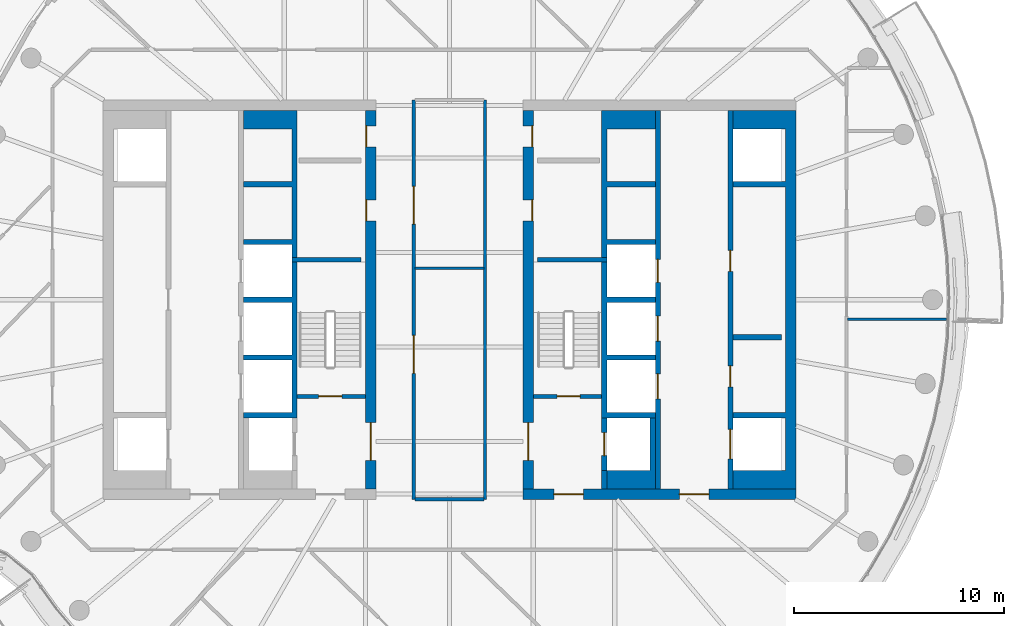
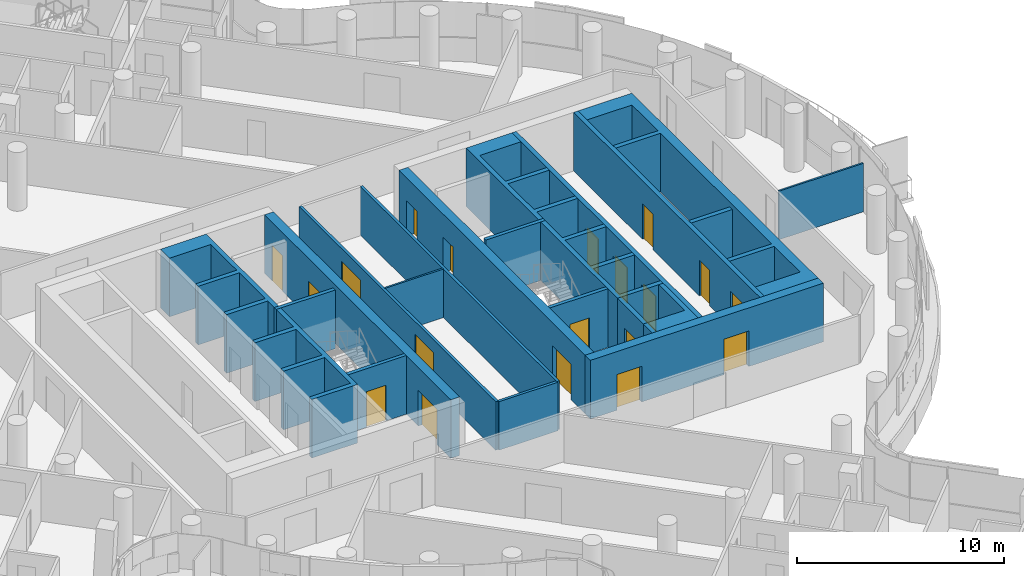
# One storey, part 21 of 31: 21 walls, 19 doors, 19 openings.
"""IFC4 building model written with IfcOpenShell, lengths in metres."""

from ifc_helpers import new_model, si_unit, direction, frame, frame_2d, origin, place, context, subcontext, project, spatial, polyline, rectangle, outline, extrude, material, layer, layer_set, type_object, element, fill, save


model = new_model("IFC4")

# Units and contexts
model_context = context("Model", 3, precision=1e-05, world=origin(), true_north=direction((0.0, 1.0)))
body_context = subcontext(model_context, "Body", "Model", "MODEL_VIEW")
ifc_project = project(units=[si_unit("LENGTHUNIT", "METRE"), si_unit("AREAUNIT", "SQUARE_METRE"), si_unit("VOLUMEUNIT", "CUBIC_METRE"), si_unit("PLANEANGLEUNIT", "RADIAN"), si_unit("MASSUNIT", "GRAM", prefix="KILO")], contexts=[model_context])

# Site, building, storey
site_placement = place(None, origin())
site = spatial("IfcSite", under=ifc_project, at=site_placement, CompositionType="ELEMENT")
building_placement = place(site_placement, origin())
building = spatial("IfcBuilding", under=site, at=building_placement, Name="Tamarind Cross Interchange Tower", CompositionType="ELEMENT")
storey_placement = place(building_placement, frame((0.0, 0.0, 200.5)))
storey = spatial("IfcBuildingStorey", under=building, at=storey_placement, Name="L50", CompositionType="ELEMENT", Elevation=200.5)

# Wall, openings, doors
ifc_material_1 = material(Name="Concrete C55", Category="concrete")
ifc_layer_1 = layer(ifc_material_1, 0.5)
ifc_layer_set_1 = layer_set([ifc_layer_1], Name="Concrete C55")
wall_type_1 = type_object("IfcWallType", Name="Core wall 500 mm Concrete C55", PredefinedType="SHEAR", material=ifc_layer_set_1)
wall_1_placement = place(storey_placement, frame((-3.75, -9.0, 0.0), z_axis=(0.0, 0.0, 1.0), x_axis=(0.0, 1.0, 0.0)))
wall_1 = element("IfcWall", 1, at=wall_1_placement, inside=storey, type_object=wall_type_1, Name="Core wall CWL-L50-W-IN", PredefinedType="SHEAR", context=body_context, shape_type="SweptSolid", body=[
    extrude(rectangle(XDim=18.0, YDim=0.5, at=frame_2d((9.0, 0.0))), origin(), (0.0, 0.0, 1.0), 3.4599609375),
])
opening_1_placement = place(wall_1_placement, frame((1.35009765625, 0.0, 0.0)))
opening_1 = element("IfcOpeningElement", 2, at=opening_1_placement, cuts=wall_1, Name="Opening DCW4", PredefinedType="OPENING", context=body_context, shape_type="SweptSolid", body=[
    extrude(rectangle(XDim=1.800048828125, YDim=2.10009765625, at=frame_2d((0.89990234375, 1.050048828125))), frame((0.0, 0.260009765625, 0.0), z_axis=(0.0, -1.0, 0.0), x_axis=(1.0, 0.0, 0.0)), (0.0, 0.0, 1.0), 0.52001953125),
])
opening_2_placement = place(wall_1_placement, frame((12.74951171875, 0.0, 0.0)))
opening_2 = element("IfcOpeningElement", 3, at=opening_2_placement, cuts=wall_1, Name="Opening DCW5", PredefinedType="OPENING", context=body_context, shape_type="SweptSolid", body=[
    extrude(rectangle(XDim=1.0, YDim=2.10009765625, at=frame_2d((0.5, 1.050048828125))), frame((0.0, 0.260009765625, 0.0), z_axis=(0.0, -1.0, 0.0), x_axis=(1.0, 0.0, 0.0)), (0.0, 0.0, 1.0), 0.52001953125),
])
opening_3_placement = place(wall_1_placement, frame((16.2744140625, 0.0, 0.0)))
opening_3 = element("IfcOpeningElement", 4, at=opening_3_placement, cuts=wall_1, Name="Opening DCW5", PredefinedType="OPENING", context=body_context, shape_type="SweptSolid", body=[
    extrude(rectangle(XDim=1.0, YDim=2.10009765625, at=frame_2d((0.5, 1.050048828125))), frame((0.0, 0.260009765625, 0.0), z_axis=(0.0, -1.0, 0.0), x_axis=(1.0, 0.0, 0.0)), (0.0, 0.0, 1.0), 0.52001953125),
])
ifc_material_2 = material(Name="Steel, fire-resisting", Category="steel")
door_type_1 = type_object("IfcDoorType", Name="Core fire door 1000 x 2100 FD90", OperationType="SINGLE_SWING_LEFT", PredefinedType="DOOR", material=ifc_material_2)
door_1_placement = place(opening_2_placement, origin())
door_1 = element("IfcDoor", 5, at=door_1_placement, inside=storey, type_object=door_type_1, Name="L50 riser room door", OperationType="SINGLE_SWING_LEFT", OverallHeight=2.10009765625, OverallWidth=1.0, PredefinedType="DOOR", context=body_context, shape_type="SweptSolid", body=[
    extrude(rectangle(XDim=1.0, YDim=2.10009765625, at=frame_2d((0.5, 1.050048828125))), frame((0.0, 0.22509765625, 0.0), z_axis=(0.0, -1.0, 0.0), x_axis=(1.0, 0.0, 0.0)), (0.0, 0.0, 1.0), 0.050048828125),
])
fill(opening_2, door_1)
door_2_placement = place(opening_3_placement, origin())
door_2 = element("IfcDoor", 6, at=door_2_placement, inside=storey, type_object=door_type_1, Name="L50 linen press door", OperationType="SINGLE_SWING_LEFT", OverallHeight=2.10009765625, OverallWidth=1.0, PredefinedType="DOOR", context=body_context, shape_type="SweptSolid", body=[
    extrude(rectangle(XDim=1.0, YDim=2.10009765625, at=frame_2d((0.5, 1.050048828125))), frame((0.0, 0.22509765625, 0.0), z_axis=(0.0, -1.0, 0.0), x_axis=(1.0, 0.0, 0.0)), (0.0, 0.0, 1.0), 0.050048828125),
])
fill(opening_3, door_2)
door_type_2 = type_object("IfcDoorType", Name="Core fire door 1800 x 2100 FD90", OperationType="SINGLE_SWING_LEFT", PredefinedType="DOOR", material=ifc_material_2)
door_3_placement = place(opening_1_placement, origin())
door_3 = element("IfcDoor", 7, at=door_3_placement, inside=storey, type_object=door_type_2, Name="L50 firefighting lobby door", OperationType="SINGLE_SWING_LEFT", OverallHeight=2.10009765625, OverallWidth=1.800048828125, PredefinedType="DOOR", context=body_context, shape_type="SweptSolid", body=[
    extrude(rectangle(XDim=1.800048828125, YDim=2.10009765625, at=frame_2d((0.89990234375, 1.050048828125))), frame((0.0, 0.02490234375, 0.0), z_axis=(0.0, -1.0, 0.0), x_axis=(1.0, 0.0, 0.0)), (0.0, 0.0, 1.0), 0.050048828125),
])
fill(opening_1, door_3)

wall_2_placement = place(storey_placement, frame((16.5, -9.25, 0.0), z_axis=(0.0, 0.0, 1.0), x_axis=(-1.0, 0.0, 0.0)))
wall_2 = element("IfcWall", 8, at=wall_2_placement, inside=storey, type_object=wall_type_1, Name="Core wall CWL-L50-E-S", PredefinedType="SHEAR", context=body_context, shape_type="SweptSolid", body=[
    extrude(rectangle(XDim=13.0, YDim=0.5, at=frame_2d((6.5, 0.0))), origin(), (0.0, 0.0, 1.0), 3.4599609375),
])
opening_4_placement = place(wall_2_placement, frame((4.14990234375, 0.0, 0.0)))
opening_4 = element("IfcOpeningElement", 9, at=opening_4_placement, cuts=wall_2, Name="Opening DCE1", PredefinedType="OPENING", context=body_context, shape_type="SweptSolid", body=[
    extrude(rectangle(XDim=1.39990234375, YDim=2.10009765625, at=frame_2d((0.699951171875, 1.050048828125))), frame((0.0, 0.260009765625, 0.0), z_axis=(0.0, -1.0, 0.0), x_axis=(1.0, 0.0, 0.0)), (0.0, 0.0, 1.0), 0.52001953125),
])
opening_5_placement = place(wall_2_placement, frame((10.125, 0.0, 0.0)))
opening_5 = element("IfcOpeningElement", 10, at=opening_5_placement, cuts=wall_2, Name="Opening DCEF", PredefinedType="OPENING", context=body_context, shape_type="SweptSolid", body=[
    extrude(rectangle(XDim=1.39990234375, YDim=2.10009765625, at=frame_2d((0.699951171875, 1.050048828125))), frame((0.0, 0.260009765625, 0.0), z_axis=(0.0, -1.0, 0.0), x_axis=(1.0, 0.0, 0.0)), (0.0, 0.0, 1.0), 0.52001953125),
])
door_type_3 = type_object("IfcDoorType", Name="Core fire door 1400 x 2100 FD90", OperationType="SINGLE_SWING_LEFT", PredefinedType="DOOR", material=ifc_material_2)
door_4_placement = place(opening_4_placement, origin())
door_4 = element("IfcDoor", 11, at=door_4_placement, inside=storey, type_object=door_type_3, Name="L50 lift lobby door", OperationType="SINGLE_SWING_LEFT", OverallHeight=2.10009765625, OverallWidth=1.39990234375, PredefinedType="DOOR", context=body_context, shape_type="SweptSolid", body=[
    extrude(rectangle(XDim=1.39990234375, YDim=2.10009765625, at=frame_2d((0.699951171875, 1.050048828125))), frame((0.0, 0.02490234375, 0.0), z_axis=(0.0, -1.0, 0.0), x_axis=(1.0, 0.0, 0.0)), (0.0, 0.0, 1.0), 0.050048828125),
])
fill(opening_4, door_4)
door_5_placement = place(opening_5_placement, origin())
door_5 = element("IfcDoor", 12, at=door_5_placement, inside=storey, type_object=door_type_3, Name="L50 firefighting lobby end door", OperationType="SINGLE_SWING_LEFT", OverallHeight=2.10009765625, OverallWidth=1.39990234375, PredefinedType="DOOR", context=body_context, shape_type="SweptSolid", body=[
    extrude(rectangle(XDim=1.39990234375, YDim=2.10009765625, at=frame_2d((0.699951171875, 1.050048828125))), frame((0.0, 0.02490234375, 0.0), z_axis=(0.0, -1.0, 0.0), x_axis=(1.0, 0.0, 0.0)), (0.0, 0.0, 1.0), 0.050048828125),
])
fill(opening_5, door_5)

# Wall
wall_3_placement = place(storey_placement, origin())
element("IfcWall", 13, at=wall_3_placement, inside=storey, type_object=wall_type_1, Name="Core wall CWL-L50-E-A", PredefinedType="SHEAR", context=body_context, shape_type="SweptSolid", body=[
    extrude(outline(polyline([(13.5, -8.125), (13.5, -9.0), (16.0, -9.0), (16.5, -9.0), (16.5, 9.0), (16.0, 9.0), (13.5, 9.0), (13.5, 8.125), (16.0, 8.125), (16.0, 5.625), (13.5, 5.625), (13.5, 5.375), (16.0, 5.375), (16.0, -5.375), (13.5, -5.375), (13.5, -5.625), (16.0, -5.625), (16.0, -8.125), (13.5, -8.125)])), origin(), (0.0, 0.0, 1.0), 3.4599609375),
])

# Wall, openings, doors
wall_4_placement = place(storey_placement, frame((3.75, -9.0, 0.0), z_axis=(0.0, 0.0, 1.0), x_axis=(0.0, 1.0, 0.0)))
wall_4 = element("IfcWall", 14, at=wall_4_placement, inside=storey, type_object=wall_type_1, Name="Core wall CWL-L50-E-IN", PredefinedType="SHEAR", context=body_context, shape_type="SweptSolid", body=[
    extrude(rectangle(XDim=18.0, YDim=0.5, at=frame_2d((9.0, 0.0))), origin(), (0.0, 0.0, 1.0), 3.4599609375),
])
opening_6_placement = place(wall_4_placement, frame((1.35009765625, 0.0, 0.0)))
opening_6 = element("IfcOpeningElement", 15, at=opening_6_placement, cuts=wall_4, Name="Opening DCE4", PredefinedType="OPENING", context=body_context, shape_type="SweptSolid", body=[
    extrude(rectangle(XDim=1.800048828125, YDim=2.10009765625, at=frame_2d((0.89990234375, 1.050048828125))), frame((0.0, 0.260009765625, 0.0), z_axis=(0.0, -1.0, 0.0), x_axis=(1.0, 0.0, 0.0)), (0.0, 0.0, 1.0), 0.52001953125),
])
opening_7_placement = place(wall_4_placement, frame((12.74951171875, 0.0, 0.0)))
opening_7 = element("IfcOpeningElement", 16, at=opening_7_placement, cuts=wall_4, Name="Opening DCE5", PredefinedType="OPENING", context=body_context, shape_type="SweptSolid", body=[
    extrude(rectangle(XDim=1.0, YDim=2.10009765625, at=frame_2d((0.5, 1.050048828125))), frame((0.0, 0.260009765625, 0.0), z_axis=(0.0, -1.0, 0.0), x_axis=(1.0, 0.0, 0.0)), (0.0, 0.0, 1.0), 0.52001953125),
])
opening_8_placement = place(wall_4_placement, frame((16.2744140625, 0.0, 0.0)))
opening_8 = element("IfcOpeningElement", 17, at=opening_8_placement, cuts=wall_4, Name="Opening DCE5", PredefinedType="OPENING", context=body_context, shape_type="SweptSolid", body=[
    extrude(rectangle(XDim=1.0, YDim=2.10009765625, at=frame_2d((0.5, 1.050048828125))), frame((0.0, 0.260009765625, 0.0), z_axis=(0.0, -1.0, 0.0), x_axis=(1.0, 0.0, 0.0)), (0.0, 0.0, 1.0), 0.52001953125),
])
door_6_placement = place(opening_7_placement, origin())
door_6 = element("IfcDoor", 18, at=door_6_placement, inside=storey, type_object=door_type_1, Name="L50 riser room door", OperationType="SINGLE_SWING_LEFT", OverallHeight=2.10009765625, OverallWidth=1.0, PredefinedType="DOOR", context=body_context, shape_type="SweptSolid", body=[
    extrude(rectangle(XDim=1.0, YDim=2.10009765625, at=frame_2d((0.5, 1.050048828125))), frame((0.0, -0.1748046875, 0.0), z_axis=(0.0, -1.0, 0.0), x_axis=(1.0, 0.0, 0.0)), (0.0, 0.0, 1.0), 0.050048828125),
])
fill(opening_7, door_6)
door_7_placement = place(opening_8_placement, origin())
door_7 = element("IfcDoor", 19, at=door_7_placement, inside=storey, type_object=door_type_1, Name="L50 linen press door", OperationType="SINGLE_SWING_LEFT", OverallHeight=2.10009765625, OverallWidth=1.0, PredefinedType="DOOR", context=body_context, shape_type="SweptSolid", body=[
    extrude(rectangle(XDim=1.0, YDim=2.10009765625, at=frame_2d((0.5, 1.050048828125))), frame((0.0, -0.1748046875, 0.0), z_axis=(0.0, -1.0, 0.0), x_axis=(1.0, 0.0, 0.0)), (0.0, 0.0, 1.0), 0.050048828125),
])
fill(opening_8, door_7)
door_8_placement = place(opening_6_placement, origin())
door_8 = element("IfcDoor", 20, at=door_8_placement, inside=storey, type_object=door_type_2, Name="L50 firefighting lobby door", OperationType="SINGLE_SWING_LEFT", OverallHeight=2.10009765625, OverallWidth=1.800048828125, PredefinedType="DOOR", context=body_context, shape_type="SweptSolid", body=[
    extrude(rectangle(XDim=1.800048828125, YDim=2.10009765625, at=frame_2d((0.89990234375, 1.050048828125))), frame((0.0, 0.02490234375, 0.0), z_axis=(0.0, -1.0, 0.0), x_axis=(1.0, 0.0, 0.0)), (0.0, 0.0, 1.0), 0.050048828125),
])
fill(opening_6, door_8)

# Walls
ifc_layer_2 = layer(ifc_material_1, 0.199951171875)
ifc_layer_set_2 = layer_set([ifc_layer_2], Name="Concrete C55")
wall_type_2 = type_object("IfcWallType", Name="Core web wall 200 mm Concrete C55", PredefinedType="SHEAR", material=ifc_layer_set_2)
for number, where, z_axis, x_axis, name in (
    (21, (-7.5, 1.89990234375, 0.0), (0.0, 0.0, 1.0), (1.0, 0.0, 0.0), "Core wall CWL-L50-W-BD"),
    (22, (7.5, 1.89990234375, 0.0), (0.0, 0.0, 1.0), (-1.0, 0.0, 0.0), "Core wall CWL-L50-E-BD"),
):
    element("IfcWall", number, at=place(storey_placement, frame(where, z_axis=z_axis, x_axis=x_axis)), inside=storey, type_object=wall_type_2, Name=name, PredefinedType="SHEAR", context=body_context, shape_type="SweptSolid", body=[
        extrude(rectangle(XDim=3.300048828125, YDim=0.199951171875, at=frame_2d((1.64990234375, 0.0))), origin(), (0.0, 0.0, 1.0), 3.4599609375),
    ])
ifc_layer_3 = layer(ifc_material_1, 0.25)
ifc_layer_set_3 = layer_set([ifc_layer_3], Name="Concrete C55")
wall_type_3 = type_object("IfcWallType", Name="Core web wall 250 mm Concrete C55", PredefinedType="SHEAR", material=ifc_layer_set_3)
wall_5_placement = place(storey_placement, origin())
element("IfcWall", 23, at=wall_5_placement, inside=storey, type_object=wall_type_3, Name="Core wall CWL-L50-W-BN", PredefinedType="SHEAR", context=body_context, shape_type="SweptSolid", body=[
    extrude(outline(polyline([(-9.800048828125, -5.375), (-9.800048828125, -5.625), (-7.5, -5.625), (-7.25, -5.625), (-7.25, 9.0), (-7.5, 9.0), (-9.800048828125, 9.0), (-9.800048828125, 8.125), (-7.5, 8.125), (-7.5, 5.625), (-9.800048828125, 5.625), (-9.800048828125, 5.375), (-7.5, 5.375), (-7.5, 2.875), (-9.800048828125, 2.875), (-9.800048828125, 2.625), (-7.5, 2.625), (-7.5, 0.125), (-9.800048828125, 0.125), (-9.800048828125, -0.125), (-7.5, -0.125), (-7.5, -2.625), (-9.800048828125, -2.625), (-9.800048828125, -2.875), (-7.5, -2.875), (-7.5, -5.375), (-9.800048828125, -5.375)])), origin(), (0.0, 0.0, 1.0), 3.4599609375),
])
wall_6_placement = place(storey_placement, origin())
element("IfcWall", 24, at=wall_6_placement, inside=storey, type_object=wall_type_3, Name="Core wall CWL-L50-E-BN", PredefinedType="SHEAR", context=body_context, shape_type="SweptSolid", body=[
    extrude(outline(polyline([(9.800048828125, -5.375), (7.5, -5.375), (7.5, -2.875), (9.800048828125, -2.875), (9.800048828125, -2.625), (7.5, -2.625), (7.5, -0.125), (9.800048828125, -0.125), (9.800048828125, 0.125), (7.5, 0.125), (7.5, 2.625), (9.800048828125, 2.625), (9.800048828125, 2.875), (7.5, 2.875), (7.5, 5.375), (9.800048828125, 5.375), (9.800048828125, 5.625), (7.5, 5.625), (7.5, 8.125), (9.800048828125, 8.125), (9.800048828125, 9.0), (7.5, 9.0), (7.25, 9.0), (7.25, -5.625), (7.5, -5.625), (9.800048828125, -5.625), (9.800048828125, -5.375)])), origin(), (0.0, 0.0, 1.0), 3.4599609375),
])
wall_7_placement = place(storey_placement, origin())
element("IfcWall", 25, at=wall_7_placement, inside=storey, type_object=wall_type_3, Name="Core wall CWL-L50-E-BS", PredefinedType="SHEAR", context=body_context, shape_type="SweptSolid", body=[
    extrude(outline(polyline([(7.5, -8.125), (7.5, -9.0), (9.800048828125, -9.0), (9.800048828125, -8.125), (9.800048828125, -5.625), (9.550048828125, -5.625), (9.550048828125, -8.125), (7.5, -8.125)])), origin(), (0.0, 0.0, 1.0), 3.4599609375),
])
wall_8_placement = place(storey_placement, frame((7.375, -9.0, 0.0), z_axis=(0.0, 0.0, 1.0), x_axis=(0.0, 1.0, 0.0)))
element("IfcWall", 26, at=wall_8_placement, inside=storey, type_object=wall_type_3, Name="Core wall CWL-L50-E-BW", PredefinedType="SHEAR", context=body_context, shape_type="SweptSolid", body=[
    extrude(rectangle(XDim=0.875, YDim=0.25, at=frame_2d((0.4375, 0.0))), origin(), (0.0, 0.0, 1.0), 3.4599609375),
])

# Wall, openings, doors
wall_9_placement = place(storey_placement, frame((13.375, -9.0, 0.0), z_axis=(0.0, 0.0, 1.0), x_axis=(0.0, 1.0, 0.0)))
wall_9 = element("IfcWall", 27, at=wall_9_placement, inside=storey, type_object=wall_type_3, Name="Core wall CWL-L50-E-LA", PredefinedType="SHEAR", context=body_context, shape_type="SweptSolid", body=[
    extrude(rectangle(XDim=18.0, YDim=0.25, at=frame_2d((9.0, 0.0))), origin(), (0.0, 0.0, 1.0), 3.4599609375),
])
opening_9_placement = place(wall_9_placement, frame((1.425048828125, 0.0, 0.0)))
opening_9 = element("IfcOpeningElement", 28, at=opening_9_placement, cuts=wall_9, Name="Opening LD13L50", PredefinedType="OPENING", context=body_context, shape_type="SweptSolid", body=[
    extrude(rectangle(XDim=1.39990234375, YDim=2.10009765625, at=frame_2d((0.699951171875, 1.050048828125))), frame((0.0, 0.135009765625, 0.0), z_axis=(0.0, -1.0, 0.0), x_axis=(1.0, 0.0, 0.0)), (0.0, 0.0, 1.0), 0.27001953125),
])
opening_10_placement = place(wall_9_placement, frame((4.85400390625, 0.0, 0.0)))
opening_10 = element("IfcOpeningElement", 29, at=opening_10_placement, cuts=wall_9, Name="Opening DCE9", PredefinedType="OPENING", context=body_context, shape_type="SweptSolid", body=[
    extrude(rectangle(XDim=1.0, YDim=2.10009765625, at=frame_2d((0.5, 1.050048828125))), frame((0.0, 0.135009765625, 0.0), z_axis=(0.0, -1.0, 0.0), x_axis=(1.0, 0.0, 0.0)), (0.0, 0.0, 1.0), 0.27001953125),
])
opening_11_placement = place(wall_9_placement, frame((10.35400390625, 0.0, 0.0)))
opening_11 = element("IfcOpeningElement", 30, at=opening_11_placement, cuts=wall_9, Name="Opening DCE10", PredefinedType="OPENING", context=body_context, shape_type="SweptSolid", body=[
    extrude(rectangle(XDim=1.0, YDim=2.10009765625, at=frame_2d((0.5, 1.050048828125))), frame((0.0, 0.135009765625, 0.0), z_axis=(0.0, -1.0, 0.0), x_axis=(1.0, 0.0, 0.0)), (0.0, 0.0, 1.0), 0.27001953125),
])
door_9_placement = place(opening_10_placement, origin())
door_9 = element("IfcDoor", 31, at=door_9_placement, inside=storey, type_object=door_type_1, Name="L50 Hotel pantry door", OperationType="SINGLE_SWING_LEFT", OverallHeight=2.10009765625, OverallWidth=1.0, PredefinedType="DOOR", context=body_context, shape_type="SweptSolid", body=[
    extrude(rectangle(XDim=1.0, YDim=2.10009765625, at=frame_2d((0.5, 1.050048828125))), frame((0.0, 0.02490234375, 0.0), z_axis=(0.0, -1.0, 0.0), x_axis=(1.0, 0.0, 0.0)), (0.0, 0.0, 1.0), 0.050048828125),
])
fill(opening_10, door_9)
door_10_placement = place(opening_11_placement, origin())
door_10 = element("IfcDoor", 32, at=door_10_placement, inside=storey, type_object=door_type_1, Name="L50 Staff changing room door", OperationType="SINGLE_SWING_LEFT", OverallHeight=2.10009765625, OverallWidth=1.0, PredefinedType="DOOR", context=body_context, shape_type="SweptSolid", body=[
    extrude(rectangle(XDim=1.0, YDim=2.10009765625, at=frame_2d((0.5, 1.050048828125))), frame((0.0, 0.02490234375, 0.0), z_axis=(0.0, -1.0, 0.0), x_axis=(1.0, 0.0, 0.0)), (0.0, 0.0, 1.0), 0.050048828125),
])
fill(opening_11, door_10)
ifc_material_3 = material(Name="Stainless steel panel", Category="steel")
door_type_4 = type_object("IfcDoorType", Name="Lift landing door 1400 x 2100 E 120", OperationType="SLIDING_TO_LEFT", PredefinedType="DOOR", material=ifc_material_3)
door_11_placement = place(opening_9_placement, origin())
door_11 = element("IfcDoor", 33, at=door_11_placement, inside=storey, type_object=door_type_4, Name="L50 landing door LF13", OperationType="SLIDING_TO_LEFT", OverallHeight=2.10009765625, OverallWidth=1.39990234375, PredefinedType="DOOR", context=body_context, shape_type="SweptSolid", body=[
    extrude(rectangle(XDim=1.39990234375, YDim=2.10009765625, at=frame_2d((0.699951171875, 1.050048828125))), frame((0.0, 0.02490234375, 0.0), z_axis=(0.0, -1.0, 0.0), x_axis=(1.0, 0.0, 0.0)), (0.0, 0.0, 1.0), 0.050048828125),
])
fill(opening_9, door_11)

wall_10_placement = place(storey_placement, frame((9.925048828125, -9.0, 0.0), z_axis=(0.0, 0.0, 1.0), x_axis=(0.0, 1.0, 0.0)))
wall_10 = element("IfcWall", 34, at=wall_10_placement, inside=storey, type_object=wall_type_3, Name="Core wall CWL-L50-E-LB", PredefinedType="SHEAR", context=body_context, shape_type="SweptSolid", body=[
    extrude(rectangle(XDim=18.0, YDim=0.25, at=frame_2d((9.0, 0.0))), origin(), (0.0, 0.0, 1.0), 3.4599609375),
])
opening_12_placement = place(wall_10_placement, frame((4.27490234375, 0.0, 0.0)))
opening_12 = element("IfcOpeningElement", 35, at=opening_12_placement, cuts=wall_10, Name="Opening LD20L50", PredefinedType="OPENING", context=body_context, shape_type="SweptSolid", body=[
    extrude(rectangle(XDim=1.199951171875, YDim=2.10009765625, at=frame_2d((0.60009765625, 1.050048828125))), frame((0.0, 0.135009765625, 0.0), z_axis=(0.0, -1.0, 0.0), x_axis=(1.0, 0.0, 0.0)), (0.0, 0.0, 1.0), 0.27001953125),
])
opening_13_placement = place(wall_10_placement, frame((7.02490234375, 0.0, 0.0)))
opening_13 = element("IfcOpeningElement", 36, at=opening_13_placement, cuts=wall_10, Name="Opening LD21L50", PredefinedType="OPENING", context=body_context, shape_type="SweptSolid", body=[
    extrude(rectangle(XDim=1.199951171875, YDim=2.10009765625, at=frame_2d((0.60009765625, 1.050048828125))), frame((0.0, 0.135009765625, 0.0), z_axis=(0.0, -1.0, 0.0), x_axis=(1.0, 0.0, 0.0)), (0.0, 0.0, 1.0), 0.27001953125),
])
opening_14_placement = place(wall_10_placement, frame((9.824951171875, 0.0, 0.0)))
opening_14 = element("IfcOpeningElement", 37, at=opening_14_placement, cuts=wall_10, Name="Opening LD22L50", PredefinedType="OPENING", context=body_context, shape_type="SweptSolid", body=[
    extrude(rectangle(XDim=1.10009765625, YDim=2.10009765625, at=frame_2d((0.550048828125, 1.050048828125))), frame((0.0, 0.135009765625, 0.0), z_axis=(0.0, -1.0, 0.0), x_axis=(1.0, 0.0, 0.0)), (0.0, 0.0, 1.0), 0.27001953125),
])
door_type_5 = type_object("IfcDoorType", Name="Lift landing door 1100 x 2100 E 120", OperationType="SLIDING_TO_LEFT", PredefinedType="DOOR", material=ifc_material_3)
door_12_placement = place(opening_14_placement, origin())
door_12 = element("IfcDoor", 38, at=door_12_placement, inside=storey, type_object=door_type_5, Name="L50 landing door LF22", OperationType="SLIDING_TO_LEFT", OverallHeight=2.10009765625, OverallWidth=1.10009765625, PredefinedType="DOOR", context=body_context, shape_type="SweptSolid", body=[
    extrude(rectangle(XDim=1.10009765625, YDim=2.10009765625, at=frame_2d((0.550048828125, 1.050048828125))), frame((0.0, 0.02490234375, 0.0), z_axis=(0.0, -1.0, 0.0), x_axis=(1.0, 0.0, 0.0)), (0.0, 0.0, 1.0), 0.050048828125),
])
fill(opening_14, door_12)
door_type_6 = type_object("IfcDoorType", Name="Lift landing door 1200 x 2100 E 120", OperationType="SLIDING_TO_LEFT", PredefinedType="DOOR", material=ifc_material_3)
door_13_placement = place(opening_12_placement, origin())
door_13 = element("IfcDoor", 39, at=door_13_placement, inside=storey, type_object=door_type_6, Name="L50 landing door LF20", OperationType="SLIDING_TO_LEFT", OverallHeight=2.10009765625, OverallWidth=1.199951171875, PredefinedType="DOOR", context=body_context, shape_type="SweptSolid", body=[
    extrude(rectangle(XDim=1.199951171875, YDim=2.10009765625, at=frame_2d((0.60009765625, 1.050048828125))), frame((0.0, 0.02490234375, 0.0), z_axis=(0.0, -1.0, 0.0), x_axis=(1.0, 0.0, 0.0)), (0.0, 0.0, 1.0), 0.050048828125),
])
fill(opening_12, door_13)
door_14_placement = place(opening_13_placement, origin())
door_14 = element("IfcDoor", 40, at=door_14_placement, inside=storey, type_object=door_type_6, Name="L50 landing door LF21", OperationType="SLIDING_TO_LEFT", OverallHeight=2.10009765625, OverallWidth=1.199951171875, PredefinedType="DOOR", context=body_context, shape_type="SweptSolid", body=[
    extrude(rectangle(XDim=1.199951171875, YDim=2.10009765625, at=frame_2d((0.60009765625, 1.050048828125))), frame((0.0, 0.02490234375, 0.0), z_axis=(0.0, -1.0, 0.0), x_axis=(1.0, 0.0, 0.0)), (0.0, 0.0, 1.0), 0.050048828125),
])
fill(opening_13, door_14)

# Wall, opening, door
wall_11_placement = place(storey_placement, frame((7.375, -8.125, 0.0), z_axis=(0.0, 0.0, 1.0), x_axis=(0.0, 1.0, 0.0)))
wall_11 = element("IfcWall", 41, at=wall_11_placement, inside=storey, type_object=wall_type_3, Name="Core wall CWL-L50-E-FF", PredefinedType="SHEAR", context=body_context, shape_type="SweptSolid", body=[
    extrude(rectangle(XDim=2.5, YDim=0.25, at=frame_2d((1.25, 0.0))), origin(), (0.0, 0.0, 1.0), 3.4599609375),
])
opening_15_placement = place(wall_11_placement, frame((0.699951171875, 0.0, 0.0)))
opening_15 = element("IfcOpeningElement", 42, at=opening_15_placement, cuts=wall_11, Name="Opening LD19L50", PredefinedType="OPENING", context=body_context, shape_type="SweptSolid", body=[
    extrude(rectangle(XDim=1.10009765625, YDim=2.10009765625, at=frame_2d((0.550048828125, 1.050048828125))), frame((0.0, 0.135009765625, 0.0), z_axis=(0.0, -1.0, 0.0), x_axis=(1.0, 0.0, 0.0)), (0.0, 0.0, 1.0), 0.27001953125),
])
door_15_placement = place(opening_15_placement, origin())
door_15 = element("IfcDoor", 43, at=door_15_placement, inside=storey, type_object=door_type_5, Name="L50 landing door LF19", OperationType="SLIDING_TO_LEFT", OverallHeight=2.10009765625, OverallWidth=1.10009765625, PredefinedType="DOOR", context=body_context, shape_type="SweptSolid", body=[
    extrude(rectangle(XDim=1.10009765625, YDim=2.10009765625, at=frame_2d((0.550048828125, 1.050048828125))), frame((0.0, 0.02490234375, 0.0), z_axis=(0.0, -1.0, 0.0), x_axis=(1.0, 0.0, 0.0)), (0.0, 0.0, 1.0), 0.050048828125),
])
fill(opening_15, door_15)

# Walls
ifc_material_4 = material(Name="Gypsum board partition on steel studs", Category="steel")
ifc_layer_4 = layer(ifc_material_4, 0.10009765625)
ifc_layer_set_4 = layer_set([ifc_layer_4], Name="Gypsum board partition on steel studs")
wall_type_4 = type_object("IfcWallType", Name="Partition 100 mm EI 120", PredefinedType="PARTITIONING", material=ifc_layer_set_4)
wall_12_placement = place(storey_placement, frame((-1.639892578125, 1.5, 0.0), z_axis=(0.0, 0.0, 1.0), x_axis=(1.0, 0.0, 0.0)))
element("IfcWall", 44, at=wall_12_placement, inside=storey, type_object=wall_type_4, Name="Partition L50-031", PredefinedType="PARTITIONING", context=body_context, shape_type="SweptSolid", body=[
    extrude(rectangle(XDim=3.27978515625, YDim=0.10009765625, at=frame_2d((1.639892578125, 0.0))), origin(), (0.0, 0.0, 1.0), 2.864013671875),
])
ifc_layer_5 = layer(ifc_material_4, 0.10009765625)
ifc_layer_set_5 = layer_set([ifc_layer_5], Name="Gypsum board partition on steel studs")
wall_type_5 = type_object("IfcWallType", Name="Partition 100 mm EI 90", PredefinedType="PARTITIONING", material=ifc_layer_set_5)
wall_13_placement = place(storey_placement, frame((18.955078125, -0.931884765625, 0.0), z_axis=(0.0, 0.0, 1.0), x_axis=(1.0, 0.0, 0.0)))
element("IfcWall", 45, at=wall_13_placement, inside=storey, type_object=wall_type_5, Name="Partition L50-033", PredefinedType="PARTITIONING", context=body_context, shape_type="SweptSolid", body=[
    extrude(rectangle(XDim=4.701171875, YDim=0.10009765625, at=frame_2d((2.3505859375, 0.0))), origin(), (0.0, 0.0, 1.0), 2.864013671875),
])
ifc_layer_6 = layer(ifc_material_4, 0.14990234375)
ifc_layer_set_6 = layer_set([ifc_layer_6], Name="Gypsum board partition on steel studs")
wall_type_6 = type_object("IfcWallType", Name="Partition 150 mm EI 120", PredefinedType="PARTITIONING", material=ifc_layer_set_6)
wall_14_placement = place(storey_placement, frame((-1.639892578125, -9.5, 0.0), z_axis=(0.0, 0.0, 1.0), x_axis=(1.0, 0.0, 0.0)))
element("IfcWall", 46, at=wall_14_placement, inside=storey, type_object=wall_type_6, Name="Partition L50-030", PredefinedType="PARTITIONING", context=body_context, shape_type="SweptSolid", body=[
    extrude(rectangle(XDim=3.27978515625, YDim=0.14990234375, at=frame_2d((1.639892578125, 0.0))), origin(), (0.0, 0.0, 1.0), 2.864013671875),
])

# Wall, openings, doors
wall_15_placement = place(storey_placement, frame((-1.699951171875, -9.5, 0.0), z_axis=(0.0, 0.0, 1.0), x_axis=(0.0, 1.0, 0.0)))
wall_15 = element("IfcWall", 47, at=wall_15_placement, inside=storey, type_object=wall_type_6, Name="Partition L50-069", PredefinedType="PARTITIONING", context=body_context, shape_type="SweptSolid", body=[
    extrude(rectangle(XDim=19.0, YDim=0.14990234375, at=frame_2d((9.5, 0.0))), origin(), (0.0, 0.0, 1.0), 2.864013671875),
])
opening_16_placement = place(wall_15_placement, frame((6.0, 0.0, 0.0)))
opening_16 = element("IfcOpeningElement", 48, at=opening_16_placement, cuts=wall_15, Name="Opening D39", PredefinedType="OPENING", context=body_context, shape_type="SweptSolid", body=[
    extrude(rectangle(XDim=1.800048828125, YDim=2.10009765625, at=frame_2d((0.89990234375, 1.050048828125))), frame((0.0, 0.0849609375, 0.0), z_axis=(0.0, -1.0, 0.0), x_axis=(1.0, 0.0, 0.0)), (0.0, 0.0, 1.0), 0.169921875),
])
opening_17_placement = place(wall_15_placement, frame((13.10009765625, 0.0, 0.0)))
opening_17 = element("IfcOpeningElement", 49, at=opening_17_placement, cuts=wall_15, Name="Opening D40", PredefinedType="OPENING", context=body_context, shape_type="SweptSolid", body=[
    extrude(rectangle(XDim=1.800048828125, YDim=2.10009765625, at=frame_2d((0.89990234375, 1.050048828125))), frame((0.0, 0.0849609375, 0.0), z_axis=(0.0, -1.0, 0.0), x_axis=(1.0, 0.0, 0.0)), (0.0, 0.0, 1.0), 0.169921875),
])
ifc_material_5 = material(Name="Fire-resisting door set")
door_type_7 = type_object("IfcDoorType", Name="Interior door 1800 x 2100 FD60S", OperationType="DOUBLE_DOOR_SINGLE_SWING", PredefinedType="DOOR", material=ifc_material_5)
door_16_placement = place(opening_16_placement, frame((1.800048828125, 0.0, 0.0), z_axis=(0.0, 0.0, 1.0), x_axis=(-1.0, 0.0, 0.0)))
door_16 = element("IfcDoor", 50, at=door_16_placement, inside=storey, type_object=door_type_7, Name="Door D39", OperationType="DOUBLE_DOOR_SINGLE_SWING", OverallHeight=2.10009765625, OverallWidth=1.800048828125, PredefinedType="DOOR", context=body_context, shape_type="SweptSolid", body=[
    extrude(rectangle(XDim=1.800048828125, YDim=2.10009765625, at=frame_2d((0.89990234375, 1.050048828125))), frame((0.0, 0.02490234375, 0.0), z_axis=(0.0, -1.0, 0.0), x_axis=(1.0, 0.0, 0.0)), (0.0, 0.0, 1.0), 0.050048828125),
])
fill(opening_16, door_16)
door_17_placement = place(opening_17_placement, frame((1.800048828125, 0.0, 0.0), z_axis=(0.0, 0.0, 1.0), x_axis=(-1.0, 0.0, 0.0)))
door_17 = element("IfcDoor", 51, at=door_17_placement, inside=storey, type_object=door_type_7, Name="Door D40", OperationType="DOUBLE_DOOR_SINGLE_SWING", OverallHeight=2.10009765625, OverallWidth=1.800048828125, PredefinedType="DOOR", context=body_context, shape_type="SweptSolid", body=[
    extrude(rectangle(XDim=1.800048828125, YDim=2.10009765625, at=frame_2d((0.89990234375, 1.050048828125))), frame((0.0, 0.02490234375, 0.0), z_axis=(0.0, -1.0, 0.0), x_axis=(1.0, 0.0, 0.0)), (0.0, 0.0, 1.0), 0.050048828125),
])
fill(opening_17, door_17)

# Walls
wall_16_placement = place(storey_placement, frame((1.699951171875, -9.5, 0.0), z_axis=(0.0, 0.0, 1.0), x_axis=(0.0, 1.0, 0.0)))
element("IfcWall", 52, at=wall_16_placement, inside=storey, type_object=wall_type_6, Name="Partition L50-070", PredefinedType="PARTITIONING", context=body_context, shape_type="SweptSolid", body=[
    extrude(rectangle(XDim=19.0, YDim=0.14990234375, at=frame_2d((9.5, 0.0))), origin(), (0.0, 0.0, 1.0), 2.864013671875),
])
ifc_material_6 = material(Name="Concrete C40", Category="concrete")
ifc_layer_7 = layer(ifc_material_6, 0.25)
ifc_layer_set_7 = layer_set([ifc_layer_7], Name="Concrete C40")
wall_type_7 = type_object("IfcWallType", Name="Shaft and lobby wall 250 mm Concrete C40", PredefinedType="PARTITIONING", material=ifc_layer_set_7)
wall_17_placement = place(storey_placement, frame((15.800048828125, -1.7919921875, 0.0), z_axis=(0.0, 0.0, 1.0), x_axis=(-1.0, 0.0, 0.0)))
element("IfcWall", 53, at=wall_17_placement, inside=storey, type_object=wall_type_7, Name="Shaft wall CWL-L50-E-FPA1", PredefinedType="PARTITIONING", context=body_context, shape_type="SweptSolid", body=[
    extrude(rectangle(XDim=2.300048828125, YDim=0.25, at=frame_2d((1.14990234375, 0.0))), origin(), (0.0, 0.0, 1.0), 3.4599609375),
])

# Wall, opening, door
ifc_layer_8 = layer(ifc_material_6, 0.199951171875)
ifc_layer_set_8 = layer_set([ifc_layer_8], Name="Concrete C40")
wall_type_8 = type_object("IfcWallType", Name="Stair shaft wall 200 mm Concrete C40", PredefinedType="SHEAR", material=ifc_layer_set_8)
wall_18_placement = place(storey_placement, frame((-7.25, -4.60009765625, 0.0), z_axis=(0.0, 0.0, 1.0), x_axis=(1.0, 0.0, 0.0)))
wall_18 = element("IfcWall", 54, at=wall_18_placement, inside=storey, type_object=wall_type_8, Name="Core wall CWL-L50-W-SD", PredefinedType="SHEAR", context=body_context, shape_type="SweptSolid", body=[
    extrude(rectangle(XDim=3.25, YDim=0.199951171875, at=frame_2d((1.625, 0.0))), origin(), (0.0, 0.0, 1.0), 3.4599609375),
])
opening_18_placement = place(wall_18_placement, frame((1.02490234375, 0.0, 0.0)))
opening_18 = element("IfcOpeningElement", 55, at=opening_18_placement, cuts=wall_18, Name="Opening DCW6", PredefinedType="OPENING", context=body_context, shape_type="SweptSolid", body=[
    extrude(rectangle(XDim=1.10009765625, YDim=2.10009765625, at=frame_2d((0.550048828125, 1.050048828125))), frame((0.0, 0.10986328125, 0.0), z_axis=(0.0, -1.0, 0.0), x_axis=(1.0, 0.0, 0.0)), (0.0, 0.0, 1.0), 0.219970703125),
])
door_type_8 = type_object("IfcDoorType", Name="Core fire door 1100 x 2100 FD90", OperationType="SINGLE_SWING_LEFT", PredefinedType="DOOR", material=ifc_material_2)
door_18_placement = place(opening_18_placement, origin())
door_18 = element("IfcDoor", 56, at=door_18_placement, inside=storey, type_object=door_type_8, Name="L50 stair door", OperationType="SINGLE_SWING_LEFT", OverallHeight=2.10009765625, OverallWidth=1.10009765625, PredefinedType="DOOR", context=body_context, shape_type="SweptSolid", body=[
    extrude(rectangle(XDim=1.10009765625, YDim=2.10009765625, at=frame_2d((0.550048828125, 1.050048828125))), frame((0.0, 0.02490234375, 0.0), z_axis=(0.0, -1.0, 0.0), x_axis=(1.0, 0.0, 0.0)), (0.0, 0.0, 1.0), 0.050048828125),
])
fill(opening_18, door_18)

wall_19_placement = place(storey_placement, frame((7.25, -4.60009765625, 0.0), z_axis=(0.0, 0.0, 1.0), x_axis=(-1.0, 0.0, 0.0)))
wall_19 = element("IfcWall", 57, at=wall_19_placement, inside=storey, type_object=wall_type_8, Name="Core wall CWL-L50-E-SD", PredefinedType="SHEAR", context=body_context, shape_type="SweptSolid", body=[
    extrude(rectangle(XDim=3.25, YDim=0.199951171875, at=frame_2d((1.625, 0.0))), origin(), (0.0, 0.0, 1.0), 3.4599609375),
])
opening_19_placement = place(wall_19_placement, frame((1.02490234375, 0.0, 0.0)))
opening_19 = element("IfcOpeningElement", 58, at=opening_19_placement, cuts=wall_19, Name="Opening DCE6", PredefinedType="OPENING", context=body_context, shape_type="SweptSolid", body=[
    extrude(rectangle(XDim=1.10009765625, YDim=2.10009765625, at=frame_2d((0.550048828125, 1.050048828125))), frame((0.0, 0.10986328125, 0.0), z_axis=(0.0, -1.0, 0.0), x_axis=(1.0, 0.0, 0.0)), (0.0, 0.0, 1.0), 0.219970703125),
])
door_19_placement = place(opening_19_placement, origin())
door_19 = element("IfcDoor", 59, at=door_19_placement, inside=storey, type_object=door_type_8, Name="L50 stair door", OperationType="SINGLE_SWING_LEFT", OverallHeight=2.10009765625, OverallWidth=1.10009765625, PredefinedType="DOOR", context=body_context, shape_type="SweptSolid", body=[
    extrude(rectangle(XDim=1.10009765625, YDim=2.10009765625, at=frame_2d((0.550048828125, 1.050048828125))), frame((0.0, 0.02490234375, 0.0), z_axis=(0.0, -1.0, 0.0), x_axis=(1.0, 0.0, 0.0)), (0.0, 0.0, 1.0), 0.050048828125),
])
fill(opening_19, door_19)

save(model, "model.ifc")
